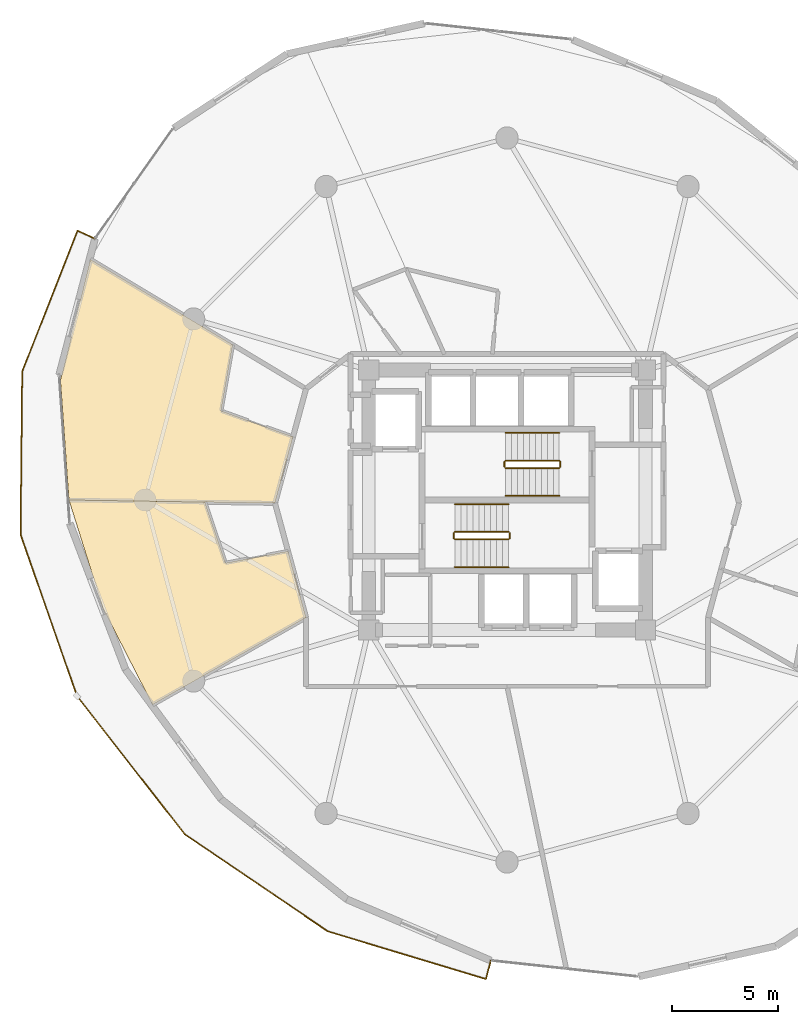
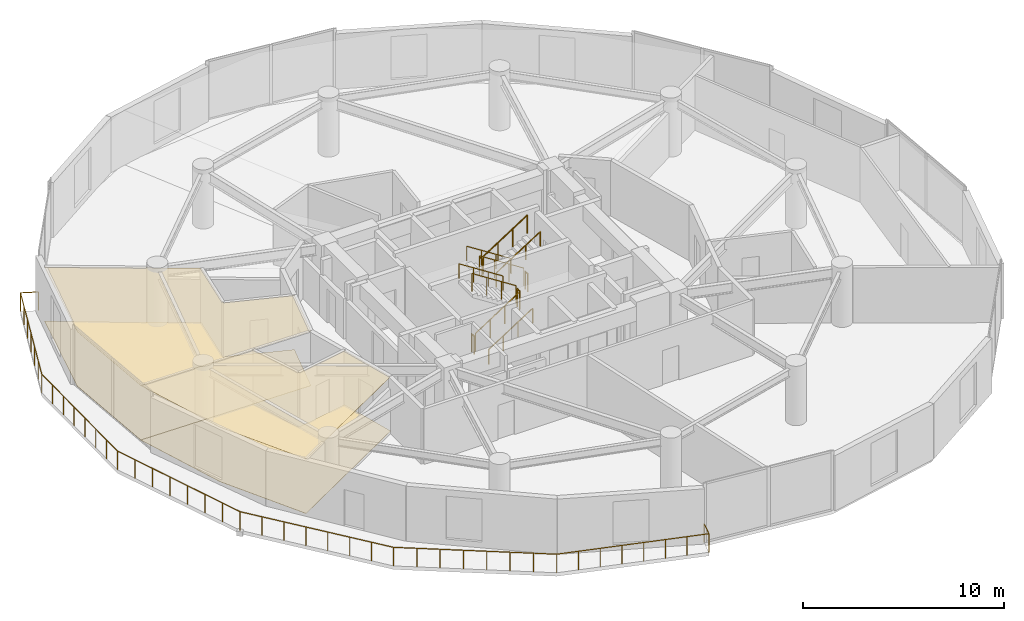
# One storey, part 21 of 22: 13 railings, 4 coverings.
"""IFC4 building model written with IfcOpenShell, lengths in metres."""

import ifcopenshell
import ifcopenshell.guid

model = None  # the IFC model being written
_history = None  # IfcOwnerHistory: only IFC2X3 demands one
_inside = {}  # id of a spatial element -> (the spatial element, [elements in it])
_under = {}  # id of a project, library or spatial element -> (it, [spatial elements below it])
_declared = {}  # id of a project -> (the project, [libraries it declares])
_typed = {}  # id of a type object -> (the type object, [elements of that type])
_made_of = {}  # id of a material, layer set ... -> (it, [elements and type objects made of it])


def new_model(schema):
    """Start an empty IFC model of exactly this schema.

    Asked for "IFC4X3", IfcOpenShell would pick the latest addendum, in which some entities
    have other attributes; the version numbers below select the first issue.
    IFC2X3 requires an IfcOwnerHistory on every rooted entity: one is made here for all.
    """
    global model, _history
    if schema == "IFC4X3":
        model = ifcopenshell.file(schema_version=(4, 3, 0, 0))
    else:
        model = ifcopenshell.file(schema=schema)
    _inside.clear()
    _under.clear()
    _declared.clear()
    _typed.clear()
    _made_of.clear()
    _history = None
    if model.schema == "IFC2X3":
        org = make("IfcOrganization", Name="unknown")
        user = make(
            "IfcPersonAndOrganization",
            ThePerson=make("IfcPerson", FamilyName="unknown"),
            TheOrganization=org,
        )
        app = make(
            "IfcApplication",
            ApplicationDeveloper=org,
            Version="unknown",
            ApplicationFullName="unknown",
            ApplicationIdentifier="unknown",
        )
        _history = make(
            "IfcOwnerHistory",
            OwningUser=user,
            OwningApplication=app,
            ChangeAction="ADDED",
            CreationDate=0,
        )
    return model


def make(cls, **values):
    """One entity of the class cls with the attributes given. An attribute that is None is left unset."""
    return model.create_entity(
        cls, **{name: value for name, value in values.items() if value is not None}
    )


def rooted(cls, **values):
    """An entity with a GlobalId (a new one), such as an element, a storey or a relation."""
    return make(cls, GlobalId=ifcopenshell.guid.new(), OwnerHistory=_history, **values)


def si_unit(unit_type, name, prefix=None):
    """IfcSIUnit, for example si_unit("LENGTHUNIT", "METRE", prefix="MILLI")."""
    return make("IfcSIUnit", UnitType=unit_type, Prefix=prefix, Name=name)


def assignment(units):
    """IfcUnitAssignment: the units of a project."""
    return None if units is None else make("IfcUnitAssignment", Units=units)


def point(xyz):
    """IfcCartesianPoint."""
    return None if xyz is None else make("IfcCartesianPoint", Coordinates=xyz)


def direction(xyz):
    """IfcDirection."""
    return None if xyz is None else make("IfcDirection", DirectionRatios=xyz)


def frame(location, z_axis=None, x_axis=None):
    """IfcAxis2Placement3D, a coordinate frame: its origin and axes. An axis left out is left unset."""
    return make(
        "IfcAxis2Placement3D",
        Location=point(location),
        Axis=direction(z_axis),
        RefDirection=direction(x_axis),
    )


def frame_2d(location, x_axis=None):
    """IfcAxis2Placement2D, a coordinate frame in the plane: its origin and x axis."""
    return make(
        "IfcAxis2Placement2D", Location=point(location), RefDirection=direction(x_axis)
    )


def origin():
    """The frame at (0, 0, 0) with its axes left unset."""
    return frame((0.0, 0.0, 0.0))


def origin_2d():
    """The frame at (0, 0) in the plane with its x axis left unset."""
    return frame_2d((0.0, 0.0))


def place(relative_to, where):
    """IfcLocalPlacement: puts the frame where relative to a parent placement (None: the world)."""
    return make(
        "IfcLocalPlacement", PlacementRelTo=relative_to, RelativePlacement=where
    )


def context(
    kind, dimensions, precision=None, world=None, true_north=None, identifier=None
):
    """IfcGeometricRepresentationContext, for example the 3D "Model" context."""
    return make(
        "IfcGeometricRepresentationContext",
        ContextIdentifier=identifier,
        ContextType=kind,
        CoordinateSpaceDimension=dimensions,
        Precision=precision,
        WorldCoordinateSystem=world,
        TrueNorth=true_north,
    )


def subcontext(parent, identifier, kind, view, scale=None):
    """IfcGeometricRepresentationSubContext, for example "Body" below "Model"."""
    return make(
        "IfcGeometricRepresentationSubContext",
        ContextIdentifier=identifier,
        ContextType=kind,
        ParentContext=parent,
        TargetScale=scale,
        TargetView=view,
    )


def project(units=None, contexts=None):
    """IfcProject with its units and contexts."""
    return rooted(
        "IfcProject",
        Name="project",
        RepresentationContexts=contexts,
        UnitsInContext=assignment(units),
    )


def spatial(cls, under=None, at=None, **own):
    """A site, building, storey or space (cls), placed at a placement, below another one or the project."""
    s = rooted(cls, ObjectPlacement=at, **own)
    if under is not None:
        _under.setdefault(under.id(), (under, []))[1].append(s)
    return s


def polyline(points):
    """IfcPolyline through the points."""
    return make("IfcPolyline", Points=[point(p) for p in points])


def profile(cls, at=None, kind="AREA", **sizes):
    """A parametric profile (cls). Its sizes go by their IFC names, for example OverallWidth=200.0."""
    return make(cls, ProfileType=kind, Position=at, **sizes)


def circle(**sizes):
    """IfcCircleProfileDef."""
    return profile("IfcCircleProfileDef", **sizes)


def outline(outer, holes=None, kind="AREA"):
    """IfcArbitraryClosedProfileDef: a profile drawn as a closed curve; with holes, ...WithVoids."""
    if holes is None:
        return make("IfcArbitraryClosedProfileDef", ProfileType=kind, OuterCurve=outer)
    return make(
        "IfcArbitraryProfileDefWithVoids",
        ProfileType=kind,
        OuterCurve=outer,
        InnerCurves=holes,
    )


def extrude(swept, where, along, depth):
    """IfcExtrudedAreaSolid: the profile swept, set in the frame where, extruded along a direction by depth."""
    return make(
        "IfcExtrudedAreaSolid",
        SweptArea=swept,
        Position=where,
        ExtrudedDirection=direction(along),
        Depth=depth,
    )


def shape(context_of_items, identifier, shape_type, items):
    """IfcShapeRepresentation: the items that make up one representation, for example the "Body"."""
    return make(
        "IfcShapeRepresentation",
        ContextOfItems=context_of_items,
        RepresentationIdentifier=identifier,
        RepresentationType=shape_type,
        Items=items,
    )


def material(Name=None, Category=None):
    """IfcMaterial."""
    return make("IfcMaterial", Name=Name, Category=Category)


def layer(
    of_material, thickness, ventilated=None, Name=None, Category=None, Priority=None
):
    """IfcMaterialLayer: one layer of a wall or slab, of a material (None: an air gap)."""
    return make(
        "IfcMaterialLayer",
        Material=of_material,
        LayerThickness=thickness,
        IsVentilated=ventilated,
        Name=Name,
        Category=Category,
        Priority=Priority,
    )


def layer_set(layers, Name=None):
    """IfcMaterialLayerSet."""
    return make("IfcMaterialLayerSet", MaterialLayers=layers, LayerSetName=Name)


def made_of(thing, what):
    """Note that an element or type object is made of a material, layer set ...; save() writes the relation."""
    if what is not None:
        _made_of.setdefault(what.id(), (what, []))[1].append(thing)
    return thing


def type_object(cls, material=None, **own):
    """A type object (cls), such as IfcWallType, which elements share."""
    return made_of(rooted(cls, **own), material)


def element(
    cls,
    number,
    at=None,
    inside=None,
    cuts=None,
    type_object=None,
    material=None,
    context=None,
    identifier="Body",
    shape_type=None,
    held_by="IfcProductDefinitionShape",
    body=None,
    shapes=None,
    **own,
):
    """One element of the class cls, such as IfcWall. Its Tag is "e" and its number.

    at: its placement. inside: the storey or other place that contains it. cuts: it is an
    opening in that element (IfcRelVoidsElement). A single representation is given by context,
    identifier, shape_type and body (its items); several are given by shapes. held_by: the class
    of the entity that holds the representations. save() writes the other relations.
    """
    e = rooted(cls, Tag="e%d" % number, ObjectPlacement=at, **own)
    if body is not None:
        shapes = [shape(context, identifier, shape_type, body)]
    if shapes is not None:
        e.Representation = make(held_by, Representations=shapes)
    if inside is not None:
        _inside.setdefault(inside.id(), (inside, []))[1].append(e)
    if cuts is not None:
        rooted(
            "IfcRelVoidsElement", RelatingBuildingElement=cuts, RelatedOpeningElement=e
        )
    if type_object is not None:
        _typed.setdefault(type_object.id(), (type_object, []))[1].append(e)
    return made_of(e, material)


def aggregate(whole, parts):
    """IfcRelAggregates: a whole, such as a stair, and the parts it consists of."""
    return rooted("IfcRelAggregates", RelatingObject=whole, RelatedObjects=parts)


def save(model, path):
    """Write the relations noted so far, then the file.

    IfcRelAggregates (storeys below a building ...), IfcRelContainedInSpatialStructure (elements
    in a storey), IfcRelDefinesByType, IfcRelAssociatesMaterial and IfcRelDeclares: one each for
    every whole, place, type object, material and project.
    """
    for whole, parts in _under.values():
        aggregate(whole, parts)
    for where, things in _inside.values():
        rooted(
            "IfcRelContainedInSpatialStructure",
            RelatedElements=things,
            RelatingStructure=where,
        )
    for kind, things in _typed.values():
        rooted("IfcRelDefinesByType", RelatedObjects=things, RelatingType=kind)
    for what, things in _made_of.values():
        rooted("IfcRelAssociatesMaterial", RelatedObjects=things, RelatingMaterial=what)
    for by, libraries in _declared.values():
        rooted("IfcRelDeclares", RelatingContext=by, RelatedDefinitions=libraries)
    model.write(path)


model = new_model("IFC4")

# Units and contexts
model_context = context("Model", 3, precision=1e-05, world=origin(), true_north=direction((0.0, 1.0)))
body_context = subcontext(model_context, "Body", "Model", "MODEL_VIEW")
ifc_project = project(units=[si_unit("LENGTHUNIT", "METRE"), si_unit("AREAUNIT", "SQUARE_METRE"), si_unit("VOLUMEUNIT", "CUBIC_METRE"), si_unit("PLANEANGLEUNIT", "RADIAN"), si_unit("MASSUNIT", "GRAM", prefix="KILO")], contexts=[model_context])

# Site, building, storey
site_placement = place(None, origin())
site = spatial("IfcSite", under=ifc_project, at=site_placement, CompositionType="ELEMENT")
building_placement = place(site_placement, origin())
building = spatial("IfcBuilding", under=site, at=building_placement, Name="Solvirekh Grand Hotel", CompositionType="ELEMENT")
storey_placement = place(building_placement, frame((0.0, 0.0, 149.39990234375)))
storey = spatial("IfcBuildingStorey", under=building, at=storey_placement, Name="L38", CompositionType="ELEMENT", Elevation=149.39990234375)

# Coverings
ifc_material_1 = material(Name="Acoustic Mineral Ceiling Tile")
ifc_layer_1 = layer(ifc_material_1, 0.02490234375)
ifc_layer_set_1 = layer_set([ifc_layer_1], Name="Acoustic Mineral Ceiling Tile")
covering_type_1 = type_object("IfcCoveringType", Name="Cov_Ceiling_Acoustic", PredefinedType="CEILING", material=ifc_layer_set_1)
covering_1_placement = place(storey_placement, frame((0.0, 0.0, 3.300048828125)))
element("IfcCovering", 1, at=covering_1_placement, inside=storey, type_object=covering_type_1, Name="L38 Deluxe Guestroom 4003 acoustic ceiling", PredefinedType="CEILING", context=body_context, shape_type="SweptSolid", body=[
    extrude(outline(polyline([(-13.43310546875, 4.18603515625), (-12.884033203125, 7.2900390625), (-19.570068359375, 11.299072265625), (-20.97607421875, 5.62109375), (-20.575927734375, 0.0), (-10.89990234375, -0.14990234375), (-10.052978515625, 2.967041015625), (-13.43310546875, 4.18603515625)])), origin(), (0.0, 0.0, 1.0), 0.01806640625),
])
covering_2_placement = place(storey_placement, frame((0.0, 0.0, 3.300048828125)))
element("IfcCovering", 2, at=covering_2_placement, inside=storey, type_object=covering_type_1, Name="L38 Deluxe Guestroom 4004 acoustic ceiling", PredefinedType="CEILING", context=body_context, shape_type="SweptSolid", body=[
    extrude(outline(polyline([(-13.22509765625, -2.9619140625), (-14.18994140625, -0.09912109375), (-20.575927734375, 0.0), (-18.97509765625, -5.083984375), (-16.652099609375, -9.614013671875), (-9.43994140625, -5.52490234375), (-10.287109375, -2.406982421875), (-13.22509765625, -2.9619140625)])), origin(), (0.0, 0.0, 1.0), 0.01806640625),
])
ifc_material_2 = material(Name="Porcelain Stoneware Flooring", Category="masonry")
ifc_layer_2 = layer(ifc_material_2, 0.030029296875)
ifc_layer_set_2 = layer_set([ifc_layer_2], Name="Porcelain Stoneware Flooring")
covering_type_2 = type_object("IfcCoveringType", Name="Cov_Floor_Stone", PredefinedType="FLOORING", material=ifc_layer_set_2)
covering_3_placement = place(storey_placement, origin())
element("IfcCovering", 3, at=covering_3_placement, inside=storey, type_object=covering_type_2, Name="L38 Deluxe Guestroom 4003 polished granite flooring", PredefinedType="FLOORING", context=body_context, shape_type="SweptSolid", body=[
    extrude(outline(polyline([(-13.43310546875, 4.18603515625), (-12.884033203125, 7.2900390625), (-19.570068359375, 11.299072265625), (-20.97607421875, 5.62109375), (-20.575927734375, 0.0), (-10.89990234375, -0.14990234375), (-10.052978515625, 2.967041015625), (-13.43310546875, 4.18603515625)])), origin(), (0.0, 0.0, 1.0), 0.02001953125),
])
covering_4_placement = place(storey_placement, origin())
element("IfcCovering", 4, at=covering_4_placement, inside=storey, type_object=covering_type_2, Name="L38 Deluxe Guestroom 4004 polished granite flooring", PredefinedType="FLOORING", context=body_context, shape_type="SweptSolid", body=[
    extrude(outline(polyline([(-13.22509765625, -2.9619140625), (-14.18994140625, -0.09912109375), (-20.575927734375, 0.0), (-18.97509765625, -5.083984375), (-16.652099609375, -9.614013671875), (-9.43994140625, -5.52490234375), (-10.287109375, -2.406982421875), (-13.22509765625, -2.9619140625)])), origin(), (0.0, 0.0, 1.0), 0.02001953125),
])

# Railings
ifc_material_3 = material(Name="Anodized Bronze Aluminium 6063-T6", Category="aluminium")
railing_type_1 = type_object("IfcRailingType", Name="Guard_ExtGlass_1150", PredefinedType="BALUSTRADE", material=ifc_material_3)
railing_1_placement = place(storey_placement, frame((-19.35498046875, 12.27197265625, 0.0)))
element("IfcRailing", 5, at=railing_1_placement, inside=storey, type_object=railing_type_1, Name="L38 balc perimeter glass balustrade", PredefinedType="BALUSTRADE", context=body_context, shape_type="SweptSolid", body=[
    extrude(circle(Radius=0.02392578125, at=origin_2d()), frame((0.0, 0.0, 1.1259765625), z_axis=(-0.907625749295, 0.419780298748, 0.0), x_axis=(-0.419780298748, -0.907625749295, 0.0)), (0.0, 0.0, 1.0), 0.900390625),
    extrude(circle(Radius=0.02392578125, at=origin_2d()), frame((-0.817138671875, 0.3779296875, 1.1259765625), z_axis=(-0.36586365539, -0.930668461733, 0.0), x_axis=(0.930668461733, -0.36586365539, 0.0)), (0.0, 0.0, 1.0), 7.114013671875),
    extrude(circle(Radius=0.02392578125, at=origin_2d()), frame((-3.419921875, -6.242919921875, 1.1259765625), z_axis=(-0.010089530475, -0.999949099392, 0.0), x_axis=(0.999949099392, -0.010089530475, 0.0)), (0.0, 0.0, 1.0), 7.646484375),
    extrude(circle(Radius=0.02392578125, at=origin_2d()), frame((-3.4970703125, -13.888916015625, 1.1259765625), z_axis=(0.329708167653, -0.944082901118, 0.0), x_axis=(0.944082901118, 0.329708167653, 0.0)), (0.0, 0.0, 1.0), 8.043701171875),
    extrude(circle(Radius=0.02392578125, at=origin_2d()), frame((-0.844970703125, -21.48291015625, 1.1259765625), z_axis=(0.615015546838, -0.788514982196, 0.0), x_axis=(0.788514982196, 0.615015546838, 0.0)), (0.0, 0.0, 1.0), 8.21923828125),
    extrude(circle(Radius=0.02392578125, at=origin_2d()), frame((4.2099609375, -27.9638671875, 1.1259765625), z_axis=(0.827197983839, -0.561910576099, 0.0), x_axis=(0.561910576099, 0.827197983839, 0.0)), (0.0, 0.0, 1.0), 8.126220703125),
    extrude(circle(Radius=0.02392578125, at=origin_2d()), frame((10.931884765625, -32.530029296875, 1.1259765625), z_axis=(0.957322619586, -0.289021456002, 0.0), x_axis=(0.289021456002, 0.957322619586, 0.0)), (0.0, 0.0, 1.0), 7.760498046875),
    extrude(circle(Radius=0.02392578125, at=origin_2d()), frame((18.361083984375, -34.77294921875, 1.1259765625), z_axis=(0.256615713089, 0.966513515578, 0.0), x_axis=(-0.966513515578, 0.256615713089, 0.0)), (0.0, 0.0, 1.0), 0.89990234375),
    extrude(circle(Radius=0.02099609375, at=origin_2d()), origin(), (0.0, 0.0, 1.0), 1.101806640625),
    extrude(circle(Radius=0.02099609375, at=origin_2d()), frame((-0.817138671875, 0.3779296875, 0.0)), (0.0, 0.0, 1.0), 1.101806640625),
    extrude(circle(Radius=0.02099609375, at=origin_2d()), frame((-1.2509765625, -0.7255859375, 0.0)), (0.0, 0.0, 1.0), 1.101806640625),
    extrude(circle(Radius=0.02099609375, at=origin_2d()), frame((-1.684814453125, -1.8291015625, 0.0)), (0.0, 0.0, 1.0), 1.101806640625),
    extrude(circle(Radius=0.02099609375, at=origin_2d()), frame((-2.11865234375, -2.9326171875, 0.0)), (0.0, 0.0, 1.0), 1.101806640625),
    extrude(circle(Radius=0.02099609375, at=origin_2d()), frame((-2.55224609375, -4.035888671875, 0.0)), (0.0, 0.0, 1.0), 1.101806640625),
    extrude(circle(Radius=0.02099609375, at=origin_2d()), frame((-2.986083984375, -5.139404296875, 0.0)), (0.0, 0.0, 1.0), 1.101806640625),
    extrude(circle(Radius=0.02099609375, at=origin_2d()), frame((-3.419921875, -6.242919921875, 0.0)), (0.0, 0.0, 1.0), 1.101806640625),
    extrude(circle(Radius=0.02099609375, at=origin_2d()), frame((-3.430908203125, -7.335205078125, 0.0)), (0.0, 0.0, 1.0), 1.101806640625),
    extrude(circle(Radius=0.02099609375, at=origin_2d()), frame((-3.44189453125, -8.427490234375, 0.0)), (0.0, 0.0, 1.0), 1.101806640625),
    extrude(circle(Radius=0.02099609375, at=origin_2d()), frame((-3.452880859375, -9.519775390625, 0.0)), (0.0, 0.0, 1.0), 1.101806640625),
    extrude(circle(Radius=0.02099609375, at=origin_2d()), frame((-3.464111328125, -10.612060546875, 0.0)), (0.0, 0.0, 1.0), 1.101806640625),
    extrude(circle(Radius=0.02099609375, at=origin_2d()), frame((-3.47509765625, -11.704345703125, 0.0)), (0.0, 0.0, 1.0), 1.101806640625),
    extrude(circle(Radius=0.02099609375, at=origin_2d()), frame((-3.486083984375, -12.796630859375, 0.0)), (0.0, 0.0, 1.0), 1.101806640625),
    extrude(circle(Radius=0.02099609375, at=origin_2d()), frame((-3.4970703125, -13.888916015625, 0.0)), (0.0, 0.0, 1.0), 1.101806640625),
    extrude(circle(Radius=0.02099609375, at=origin_2d()), frame((-3.1181640625, -14.973876953125, 0.0)), (0.0, 0.0, 1.0), 1.101806640625),
    extrude(circle(Radius=0.02099609375, at=origin_2d()), frame((-2.7392578125, -16.05859375, 0.0)), (0.0, 0.0, 1.0), 1.101806640625),
    extrude(circle(Radius=0.02099609375, at=origin_2d()), frame((-2.3603515625, -17.1435546875, 0.0)), (0.0, 0.0, 1.0), 1.101806640625),
    extrude(circle(Radius=0.02099609375, at=origin_2d()), frame((-1.981689453125, -18.228271484375, 0.0)), (0.0, 0.0, 1.0), 1.101806640625),
    extrude(circle(Radius=0.02099609375, at=origin_2d()), frame((-1.602783203125, -19.313232421875, 0.0)), (0.0, 0.0, 1.0), 1.101806640625),
    extrude(circle(Radius=0.02099609375, at=origin_2d()), frame((-1.223876953125, -20.39794921875, 0.0)), (0.0, 0.0, 1.0), 1.101806640625),
    extrude(circle(Radius=0.02099609375, at=origin_2d()), frame((-0.844970703125, -21.48291015625, 0.0)), (0.0, 0.0, 1.0), 1.101806640625),
    extrude(circle(Radius=0.02099609375, at=origin_2d()), frame((-0.122802734375, -22.40869140625, 0.0)), (0.0, 0.0, 1.0), 1.101806640625),
    extrude(circle(Radius=0.02099609375, at=origin_2d()), frame((0.599365234375, -23.334716796875, 0.0)), (0.0, 0.0, 1.0), 1.101806640625),
    extrude(circle(Radius=0.02099609375, at=origin_2d()), frame((1.321533203125, -24.260498046875, 0.0)), (0.0, 0.0, 1.0), 1.101806640625),
    extrude(circle(Radius=0.02099609375, at=origin_2d()), frame((2.04345703125, -25.186279296875, 0.0)), (0.0, 0.0, 1.0), 1.101806640625),
    extrude(circle(Radius=0.02099609375, at=origin_2d()), frame((2.765625, -26.112060546875, 0.0)), (0.0, 0.0, 1.0), 1.101806640625),
    extrude(circle(Radius=0.02099609375, at=origin_2d()), frame((3.48779296875, -27.0380859375, 0.0)), (0.0, 0.0, 1.0), 1.101806640625),
    extrude(circle(Radius=0.02099609375, at=origin_2d()), frame((4.2099609375, -27.9638671875, 0.0)), (0.0, 0.0, 1.0), 1.101806640625),
    extrude(circle(Radius=0.02099609375, at=origin_2d()), frame((5.170166015625, -28.6162109375, 0.0)), (0.0, 0.0, 1.0), 1.101806640625),
    extrude(circle(Radius=0.02099609375, at=origin_2d()), frame((6.130615234375, -29.2685546875, 0.0)), (0.0, 0.0, 1.0), 1.101806640625),
    extrude(circle(Radius=0.02099609375, at=origin_2d()), frame((7.0908203125, -29.9208984375, 0.0)), (0.0, 0.0, 1.0), 1.101806640625),
    extrude(circle(Radius=0.02099609375, at=origin_2d()), frame((8.051025390625, -30.572998046875, 0.0)), (0.0, 0.0, 1.0), 1.101806640625),
    extrude(circle(Radius=0.02099609375, at=origin_2d()), frame((9.01123046875, -31.225341796875, 0.0)), (0.0, 0.0, 1.0), 1.101806640625),
    extrude(circle(Radius=0.02099609375, at=origin_2d()), frame((9.9716796875, -31.877685546875, 0.0)), (0.0, 0.0, 1.0), 1.101806640625),
    extrude(circle(Radius=0.02099609375, at=origin_2d()), frame((10.931884765625, -32.530029296875, 0.0)), (0.0, 0.0, 1.0), 1.101806640625),
    extrude(circle(Radius=0.02099609375, at=origin_2d()), frame((11.9931640625, -32.850341796875, 0.0)), (0.0, 0.0, 1.0), 1.101806640625),
    extrude(circle(Radius=0.02099609375, at=origin_2d()), frame((13.054443359375, -33.1708984375, 0.0)), (0.0, 0.0, 1.0), 1.101806640625),
    extrude(circle(Radius=0.02099609375, at=origin_2d()), frame((14.11572265625, -33.4912109375, 0.0)), (0.0, 0.0, 1.0), 1.101806640625),
    extrude(circle(Radius=0.02099609375, at=origin_2d()), frame((15.17724609375, -33.811767578125, 0.0)), (0.0, 0.0, 1.0), 1.101806640625),
    extrude(circle(Radius=0.02099609375, at=origin_2d()), frame((16.238525390625, -34.132080078125, 0.0)), (0.0, 0.0, 1.0), 1.101806640625),
    extrude(circle(Radius=0.02099609375, at=origin_2d()), frame((17.2998046875, -34.45263671875, 0.0)), (0.0, 0.0, 1.0), 1.101806640625),
    extrude(circle(Radius=0.02099609375, at=origin_2d()), frame((18.361083984375, -34.77294921875, 0.0)), (0.0, 0.0, 1.0), 1.101806640625),
    extrude(circle(Radius=0.02099609375, at=origin_2d()), frame((18.592041015625, -33.903076171875, 0.0)), (0.0, 0.0, 1.0), 1.101806640625),
])
ifc_material_4 = material(Name="Steel S355", Category="steel")
railing_type_2 = type_object("IfcRailingType", Name="Guard_Stair_1100", PredefinedType="GUARDRAIL", material=ifc_material_4)
railing_2_placement = place(storey_placement, frame((-2.449951171875, -1.85009765625, 0.18017578125)))
element("IfcRailing", 6, at=railing_2_placement, inside=storey, type_object=railing_type_2, Name="L38 ST-1 stair guard 1", PredefinedType="GUARDRAIL", context=body_context, shape_type="SweptSolid", body=[
    extrude(circle(Radius=0.02392578125, at=origin_2d()), frame((0.0, 0.0, 1.076171875), z_axis=(0.841199657755, 0.0, 0.540724639528), x_axis=(0.0, 1.0, 0.0)), (0.0, 0.0, 1.0), 2.995849609375),
    extrude(circle(Radius=0.02099609375, at=origin_2d()), origin(), (0.0, 0.0, 1.0), 1.052001953125),
    extrude(circle(Radius=0.02099609375, at=origin_2d()), frame((0.840087890625, 0.0, 0.5400390625)), (0.0, 0.0, 1.0), 1.052001953125),
    extrude(circle(Radius=0.02099609375, at=origin_2d()), frame((1.679931640625, 0.0, 1.079833984375)), (0.0, 0.0, 1.0), 1.052001953125),
    extrude(circle(Radius=0.02099609375, at=origin_2d()), frame((2.52001953125, 0.0, 1.619873046875)), (0.0, 0.0, 1.0), 1.052001953125),
])
railing_3_placement = place(storey_placement, frame((0.1201171875, -1.800048828125, 1.800048828125)))
element("IfcRailing", 7, at=railing_3_placement, inside=storey, type_object=railing_type_2, Name="L38 ST-1 stair guard 2", PredefinedType="GUARDRAIL", context=body_context, shape_type="SweptSolid", body=[
    extrude(circle(Radius=0.02392578125, at=origin_2d()), frame((0.0, 0.0, 1.076171875), z_axis=(0.0, 1.0, 0.0), x_axis=(-1.0, 0.0, 0.0)), (0.0, 0.0, 1.0), 0.25),
    extrude(circle(Radius=0.02099609375, at=origin_2d()), origin(), (0.0, 0.0, 1.0), 1.052001953125),
    extrude(circle(Radius=0.02099609375, at=origin_2d()), frame((0.0, 0.25, 0.0)), (0.0, 0.0, 1.0), 1.052001953125),
])
railing_4_placement = place(storey_placement, frame((0.070068359375, -1.5, 1.97998046875)))
element("IfcRailing", 8, at=railing_4_placement, inside=storey, type_object=railing_type_2, Name="L38 ST-1 stair guard 3", PredefinedType="GUARDRAIL", context=body_context, shape_type="SweptSolid", body=[
    extrude(circle(Radius=0.02392578125, at=origin_2d()), frame((0.0, 0.0, 1.076171875), z_axis=(-0.841162588446, 0.0, 0.540782303519), x_axis=(0.0, -1.0, 0.0)), (0.0, 0.0, 1.0), 2.995849609375),
    extrude(circle(Radius=0.02099609375, at=origin_2d()), origin(), (0.0, 0.0, 1.0), 1.052001953125),
    extrude(circle(Radius=0.02099609375, at=origin_2d()), frame((-0.840087890625, 0.0, 0.5400390625)), (0.0, 0.0, 1.0), 1.052001953125),
    extrude(circle(Radius=0.02099609375, at=origin_2d()), frame((-1.679931640625, 0.0, 1.080078125)), (0.0, 0.0, 1.0), 1.052001953125),
    extrude(circle(Radius=0.02099609375, at=origin_2d()), frame((-2.52001953125, 0.0, 1.6201171875)), (0.0, 0.0, 1.0), 1.052001953125),
])
railing_5_placement = place(storey_placement, frame((-2.5, -1.800048828125, 0.0)))
element("IfcRailing", 9, at=railing_5_placement, inside=storey, type_object=railing_type_2, Name="L38 ST-1 stair guard 4", PredefinedType="GUARDRAIL", context=body_context, shape_type="SweptSolid", body=[
    extrude(circle(Radius=0.02392578125, at=origin_2d()), frame((0.0, 0.0, 1.076171875), z_axis=(0.0, 1.0, 0.0), x_axis=(-1.0, 0.0, 0.0)), (0.0, 0.0, 1.0), 0.25),
    extrude(circle(Radius=0.02099609375, at=origin_2d()), origin(), (0.0, 0.0, 1.0), 1.052001953125),
    extrude(circle(Radius=0.02099609375, at=origin_2d()), frame((0.0, 0.25, 0.0)), (0.0, 0.0, 1.0), 1.052001953125),
])
railing_6_placement = place(storey_placement, frame((2.449951171875, 1.85009765625, 0.18017578125)))
element("IfcRailing", 10, at=railing_6_placement, inside=storey, type_object=railing_type_2, Name="L38 ST-2 stair guard 1", PredefinedType="GUARDRAIL", context=body_context, shape_type="SweptSolid", body=[
    extrude(circle(Radius=0.02392578125, at=origin_2d()), frame((0.0, 0.0, 1.076171875), z_axis=(-0.841199657755, 0.0, 0.540724639528), x_axis=(0.0, -1.0, 0.0)), (0.0, 0.0, 1.0), 2.995849609375),
    extrude(circle(Radius=0.02099609375, at=origin_2d()), origin(), (0.0, 0.0, 1.0), 1.052001953125),
    extrude(circle(Radius=0.02099609375, at=origin_2d()), frame((-0.840087890625, 0.0, 0.5400390625)), (0.0, 0.0, 1.0), 1.052001953125),
    extrude(circle(Radius=0.02099609375, at=origin_2d()), frame((-1.679931640625, 0.0, 1.079833984375)), (0.0, 0.0, 1.0), 1.052001953125),
    extrude(circle(Radius=0.02099609375, at=origin_2d()), frame((-2.52001953125, 0.0, 1.619873046875)), (0.0, 0.0, 1.0), 1.052001953125),
])
railing_7_placement = place(storey_placement, frame((-0.1201171875, 1.800048828125, 1.800048828125)))
element("IfcRailing", 11, at=railing_7_placement, inside=storey, type_object=railing_type_2, Name="L38 ST-2 stair guard 2", PredefinedType="GUARDRAIL", context=body_context, shape_type="SweptSolid", body=[
    extrude(circle(Radius=0.02392578125, at=origin_2d()), frame((0.0, 0.0, 1.076171875), z_axis=(0.0, -1.0, 0.0), x_axis=(1.0, 0.0, 0.0)), (0.0, 0.0, 1.0), 0.25),
    extrude(circle(Radius=0.02099609375, at=origin_2d()), origin(), (0.0, 0.0, 1.0), 1.052001953125),
    extrude(circle(Radius=0.02099609375, at=origin_2d()), frame((0.0, -0.25, 0.0)), (0.0, 0.0, 1.0), 1.052001953125),
])
railing_8_placement = place(storey_placement, frame((-0.070068359375, 1.5, 1.97998046875)))
element("IfcRailing", 12, at=railing_8_placement, inside=storey, type_object=railing_type_2, Name="L38 ST-2 stair guard 3", PredefinedType="GUARDRAIL", context=body_context, shape_type="SweptSolid", body=[
    extrude(circle(Radius=0.02392578125, at=origin_2d()), frame((0.0, 0.0, 1.076171875), z_axis=(0.841162588446, 0.0, 0.540782303519), x_axis=(0.0, 1.0, 0.0)), (0.0, 0.0, 1.0), 2.995849609375),
    extrude(circle(Radius=0.02099609375, at=origin_2d()), origin(), (0.0, 0.0, 1.0), 1.052001953125),
    extrude(circle(Radius=0.02099609375, at=origin_2d()), frame((0.840087890625, 0.0, 0.5400390625)), (0.0, 0.0, 1.0), 1.052001953125),
    extrude(circle(Radius=0.02099609375, at=origin_2d()), frame((1.679931640625, 0.0, 1.080078125)), (0.0, 0.0, 1.0), 1.052001953125),
    extrude(circle(Radius=0.02099609375, at=origin_2d()), frame((2.52001953125, 0.0, 1.6201171875)), (0.0, 0.0, 1.0), 1.052001953125),
])
railing_9_placement = place(storey_placement, frame((2.5, 1.800048828125, 0.0)))
element("IfcRailing", 13, at=railing_9_placement, inside=storey, type_object=railing_type_2, Name="L38 ST-2 stair guard 4", PredefinedType="GUARDRAIL", context=body_context, shape_type="SweptSolid", body=[
    extrude(circle(Radius=0.02392578125, at=origin_2d()), frame((0.0, 0.0, 1.076171875), z_axis=(0.0, -1.0, 0.0), x_axis=(1.0, 0.0, 0.0)), (0.0, 0.0, 1.0), 0.25),
    extrude(circle(Radius=0.02099609375, at=origin_2d()), origin(), (0.0, 0.0, 1.0), 1.052001953125),
    extrude(circle(Radius=0.02099609375, at=origin_2d()), frame((0.0, -0.25, 0.0)), (0.0, 0.0, 1.0), 1.052001953125),
])
railing_type_3 = type_object("IfcRailingType", Name="Handrail_Wall_900", PredefinedType="HANDRAIL", material=ifc_material_3)
railing_10_placement = place(storey_placement, frame((-2.449951171875, -3.14990234375, 0.18017578125)))
element("IfcRailing", 14, at=railing_10_placement, inside=storey, type_object=railing_type_3, Name="L38 ST-1 stair handrail 1", PredefinedType="HANDRAIL", context=body_context, shape_type="SweptSolid", body=[
    extrude(circle(Radius=0.02392578125, at=origin_2d()), frame((0.0, 0.0, 0.8759765625), z_axis=(0.841199657755, 0.0, 0.540724639528), x_axis=(0.0, 1.0, 0.0)), (0.0, 0.0, 1.0), 2.995849609375),
    extrude(circle(Radius=0.02099609375, at=origin_2d()), origin(), (0.0, 0.0, 1.0), 0.851806640625),
    extrude(circle(Radius=0.02099609375, at=origin_2d()), frame((0.840087890625, 0.0, 0.5400390625)), (0.0, 0.0, 1.0), 0.851806640625),
    extrude(circle(Radius=0.02099609375, at=origin_2d()), frame((1.679931640625, 0.0, 1.079833984375)), (0.0, 0.0, 1.0), 0.851806640625),
    extrude(circle(Radius=0.02099609375, at=origin_2d()), frame((2.52001953125, 0.0, 1.619873046875)), (0.0, 0.0, 1.0), 0.851806640625),
])
railing_11_placement = place(storey_placement, frame((0.070068359375, -0.199951171875, 1.97998046875)))
element("IfcRailing", 15, at=railing_11_placement, inside=storey, type_object=railing_type_3, Name="L38 ST-1 stair handrail 2", PredefinedType="HANDRAIL", context=body_context, shape_type="SweptSolid", body=[
    extrude(circle(Radius=0.02392578125, at=origin_2d()), frame((0.0, 0.0, 0.8759765625), z_axis=(-0.841162588446, 0.0, 0.540782303519), x_axis=(0.0, -1.0, 0.0)), (0.0, 0.0, 1.0), 2.995849609375),
    extrude(circle(Radius=0.02099609375, at=origin_2d()), origin(), (0.0, 0.0, 1.0), 0.851806640625),
    extrude(circle(Radius=0.02099609375, at=origin_2d()), frame((-0.840087890625, 0.0, 0.5400390625)), (0.0, 0.0, 1.0), 0.851806640625),
    extrude(circle(Radius=0.02099609375, at=origin_2d()), frame((-1.679931640625, 0.0, 1.080078125)), (0.0, 0.0, 1.0), 0.851806640625),
    extrude(circle(Radius=0.02099609375, at=origin_2d()), frame((-2.52001953125, 0.0, 1.6201171875)), (0.0, 0.0, 1.0), 0.851806640625),
])
railing_12_placement = place(storey_placement, frame((2.449951171875, 3.14990234375, 0.18017578125)))
element("IfcRailing", 16, at=railing_12_placement, inside=storey, type_object=railing_type_3, Name="L38 ST-2 stair handrail 1", PredefinedType="HANDRAIL", context=body_context, shape_type="SweptSolid", body=[
    extrude(circle(Radius=0.02392578125, at=origin_2d()), frame((0.0, 0.0, 0.8759765625), z_axis=(-0.841199657755, 0.0, 0.540724639528), x_axis=(0.0, -1.0, 0.0)), (0.0, 0.0, 1.0), 2.995849609375),
    extrude(circle(Radius=0.02099609375, at=origin_2d()), origin(), (0.0, 0.0, 1.0), 0.851806640625),
    extrude(circle(Radius=0.02099609375, at=origin_2d()), frame((-0.840087890625, 0.0, 0.5400390625)), (0.0, 0.0, 1.0), 0.851806640625),
    extrude(circle(Radius=0.02099609375, at=origin_2d()), frame((-1.679931640625, 0.0, 1.079833984375)), (0.0, 0.0, 1.0), 0.851806640625),
    extrude(circle(Radius=0.02099609375, at=origin_2d()), frame((-2.52001953125, 0.0, 1.619873046875)), (0.0, 0.0, 1.0), 0.851806640625),
])
railing_13_placement = place(storey_placement, frame((-0.070068359375, 0.199951171875, 1.97998046875)))
element("IfcRailing", 17, at=railing_13_placement, inside=storey, type_object=railing_type_3, Name="L38 ST-2 stair handrail 2", PredefinedType="HANDRAIL", context=body_context, shape_type="SweptSolid", body=[
    extrude(circle(Radius=0.02392578125, at=origin_2d()), frame((0.0, 0.0, 0.8759765625), z_axis=(0.841162588446, 0.0, 0.540782303519), x_axis=(0.0, 1.0, 0.0)), (0.0, 0.0, 1.0), 2.995849609375),
    extrude(circle(Radius=0.02099609375, at=origin_2d()), origin(), (0.0, 0.0, 1.0), 0.851806640625),
    extrude(circle(Radius=0.02099609375, at=origin_2d()), frame((0.840087890625, 0.0, 0.5400390625)), (0.0, 0.0, 1.0), 0.851806640625),
    extrude(circle(Radius=0.02099609375, at=origin_2d()), frame((1.679931640625, 0.0, 1.080078125)), (0.0, 0.0, 1.0), 0.851806640625),
    extrude(circle(Radius=0.02099609375, at=origin_2d()), frame((2.52001953125, 0.0, 1.6201171875)), (0.0, 0.0, 1.0), 0.851806640625),
])

save(model, "model.ifc")
